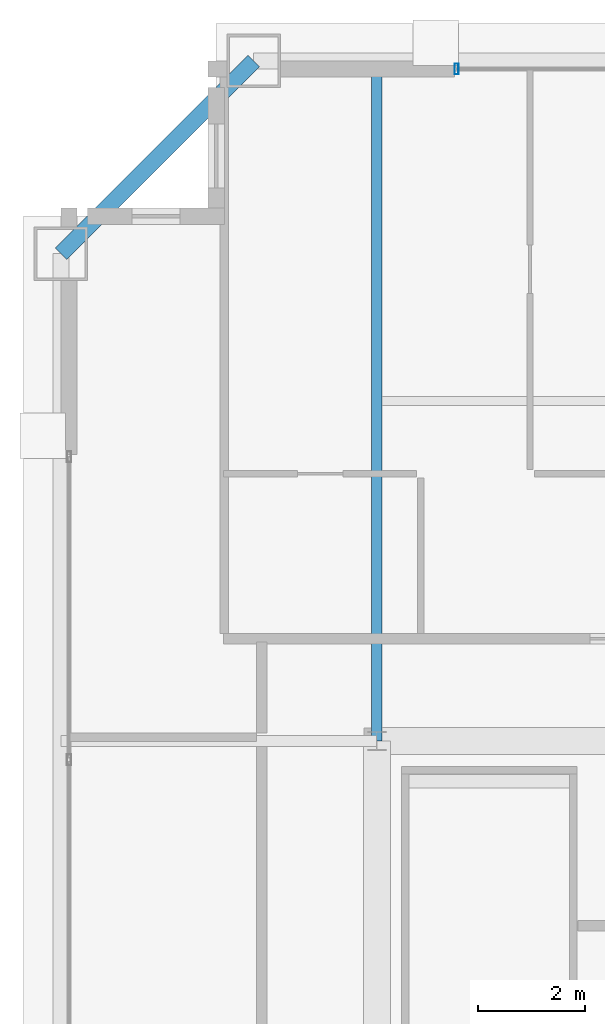
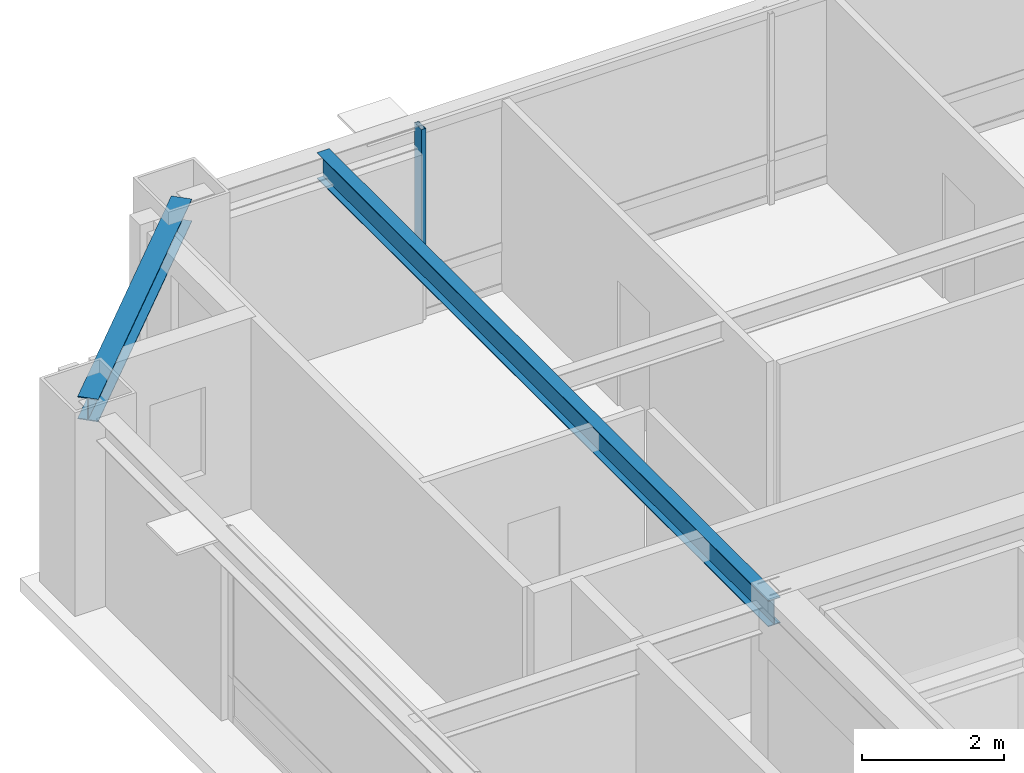
# One storey, part 16 of 35: 2 beams, 1 member, 1 element without a shape of its own.
"""IFC4 building model written with IfcOpenShell, lengths in metres."""

from ifc_helpers import new_model, si_unit, direction, frame, origin, origin_2d, place, context, subcontext, project, spatial, hollow_rectangle, i_section, extrude, source, transform, mapped, material, layer, layer_set, material_profile, profile_set, type_object, element, aggregate, save


model = new_model("IFC4")

# Units and contexts
model_context = context("Model", 3, precision=1e-05, world=origin(), true_north=direction((0.0, 1.0)))
body_context = subcontext(model_context, "Body", "Model", "MODEL_VIEW")
ifc_project = project(units=[si_unit("LENGTHUNIT", "METRE"), si_unit("AREAUNIT", "SQUARE_METRE"), si_unit("VOLUMEUNIT", "CUBIC_METRE"), si_unit("PLANEANGLEUNIT", "RADIAN"), si_unit("MASSUNIT", "GRAM", prefix="KILO"), si_unit("THERMODYNAMICTEMPERATUREUNIT", "KELVIN"), si_unit("POWERUNIT", "WATT")], contexts=[model_context])

# Site, building, storey
site_placement = place(None, origin())
site = spatial("IfcSite", under=ifc_project, at=site_placement, CompositionType="ELEMENT")
building_placement = place(site_placement, origin())
building = spatial("IfcBuilding", under=site, at=building_placement, Name="Yuzanri Waterfront Tower", CompositionType="ELEMENT")
storey_placement = place(building_placement, frame((0.0, 0.0, 318.199951171875)))
storey = spatial("IfcBuildingStorey", under=building, at=storey_placement, Name="L85", CompositionType="ELEMENT", Elevation=318.199951171875)

# Beams
ifc_material_1 = material(Name="Steel Q355B", Category="steel")
ifc_material_profile_1 = material_profile(ifc_material_1, i_section(OverallWidth=0.300048828125, OverallDepth=0.389892578125, WebThickness=0.010009765625, FlangeThickness=0.01611328125, at=origin_2d()), Name="HM 390x300x10x16")
ifc_profile_set_1 = profile_set([ifc_material_profile_1], Name="Steel Q355B")
beam_type_1 = type_object("IfcBeamType", Name="Perimeter Spandrel Q355B HM 390x300", PredefinedType="SPANDREL", material=ifc_profile_set_1)
shared_shape_1 = source(origin(), body_context, "Body", "SweptSolid", [
    extrude(i_section(OverallWidth=0.300048828125, OverallDepth=0.389892578125, WebThickness=0.010009765625, FlangeThickness=0.01611328125, at=origin_2d()), origin(), (0.0, 0.0, 1.0), 5.091064453125),
])
beam_1_placement = place(storey_placement, frame((21.5, 44.89990234375, 3.0849609375), z_axis=(-0.707130757816, -0.707082803744, 0.0), x_axis=(0.707082803744, -0.707130757816, 0.0)))
element("IfcBeam", 1, at=beam_1_placement, inside=storey, type_object=beam_type_1, Name="L85 Perimeter Spandrel N1-W3", PredefinedType="SPANDREL", context=body_context, shape_type="MappedRepresentation", body=[
    mapped(shared_shape_1, transform((0.0, 0.0, 0.0), scale=1.0)),
])
ifc_material_2 = material(Name="Steel Q355B", Category="steel")
ifc_material_profile_2 = material_profile(ifc_material_2, i_section(OverallWidth=0.199951171875, OverallDepth=0.449951171875, WebThickness=0.009033203125, FlangeThickness=0.013916015625, at=origin_2d()), Name="HN 450x200x9x14")
ifc_profile_set_2 = profile_set([ifc_material_profile_2], Name="Steel Q355B")
beam_type_2 = type_object("IfcBeamType", Name="Secondary Floor Beam Q355B HN 450x200", PredefinedType="BEAM", material=ifc_profile_set_2)
shared_shape_2 = source(origin(), body_context, "Body", "SweptSolid", [
    extrude(i_section(OverallWidth=0.199951171875, OverallDepth=0.449951171875, WebThickness=0.009033203125, FlangeThickness=0.013916015625, at=origin_2d()), origin(), (0.0, 0.0, 1.0), 12.699951171875),
])
beam_2_placement = place(storey_placement, frame((23.800048828125, 32.199951171875, 3.054931640625), z_axis=(0.0, 1.0, 0.0), x_axis=(-1.0, 0.0, 0.0)))
element("IfcBeam", 2, at=beam_2_placement, inside=storey, type_object=beam_type_2, Name="L85 North-West Core Line Beam", PredefinedType="BEAM", context=body_context, shape_type="MappedRepresentation", body=[
    mapped(shared_shape_2, transform((0.0, 0.0, 0.0), scale=1.0)),
])

# Curtain wall, member
ifc_material_3 = material(Name="Anodized Architectural Bronze", Category="metal")
ifc_layer = layer(ifc_material_3, 0.159912109375)
ifc_layer_set = layer_set([ifc_layer], Name="Anodized Architectural Bronze")
curtain_wall_type = type_object("IfcCurtainWallType", Name="Anodized Bronze High-Rise Penthouse High-Wind Unitized Curtain Wall 6900", PredefinedType="NOTDEFINED", material=ifc_layer_set)
curtain_wall_placement = place(storey_placement, origin())
curtain_wall = element("IfcCurtainWall", 3, at=curtain_wall_placement, inside=storey, type_object=curtain_wall_type, Name="L85 Curtain Wall CW-L85-NL", PredefinedType="NOTDEFINED")
ifc_material_4 = material(Name="Anodized Architectural Bronze", Category="metal")
ifc_material_profile_3 = material_profile(ifc_material_4, hollow_rectangle(XDim=0.074951171875, YDim=0.199951171875, WallThickness=0.00390625, at=origin_2d()), Name="CWM 75x200")
ifc_profile_set_3 = profile_set([ifc_material_profile_3], Name="Anodized Architectural Bronze")
member_type = type_object("IfcMemberType", Name="Anodized Bronze Primary Curtain-Wall Mullion 75x200", PredefinedType="MULLION", material=ifc_profile_set_3)
shared_shape_3 = source(origin(), body_context, "Body", "SweptSolid", [
    extrude(hollow_rectangle(XDim=0.074951171875, YDim=0.199951171875, WallThickness=0.00390625, at=origin_2d()), origin(), (0.0, 0.0, 1.0), 2.52392578125),
])
member_placement = place(storey_placement, frame((25.2900390625, 44.75, 0.756103515625), z_axis=(0.0, 0.0, 1.0), x_axis=(1.0, 0.0, 0.0)))
member = element("IfcMember", 4, at=member_placement, type_object=member_type, Name="CW-L85-NL Upper Mullion 00", PredefinedType="MULLION", context=body_context, shape_type="MappedRepresentation", body=[
    mapped(shared_shape_3, transform((0.0, 0.0, 0.0), scale=1.0)),
])
aggregate(curtain_wall, [member])

save(model, "model.ifc")
